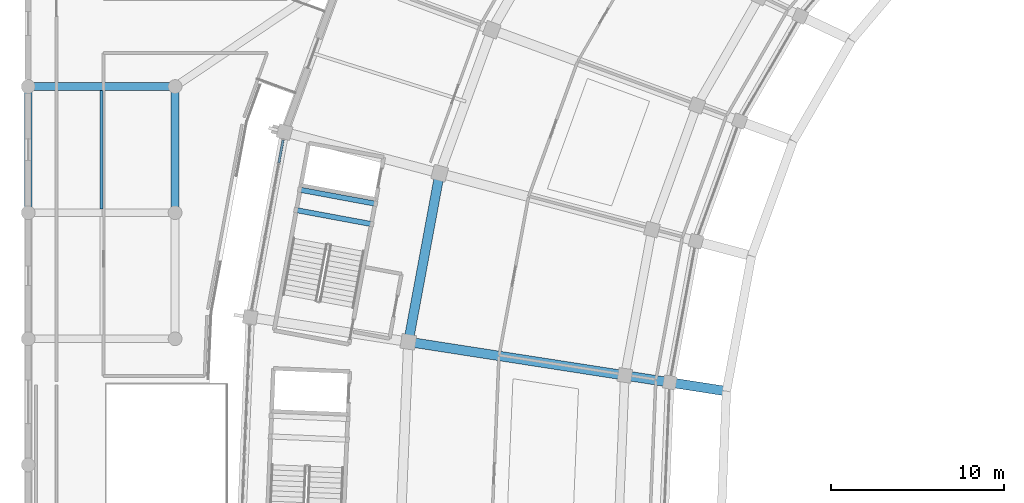
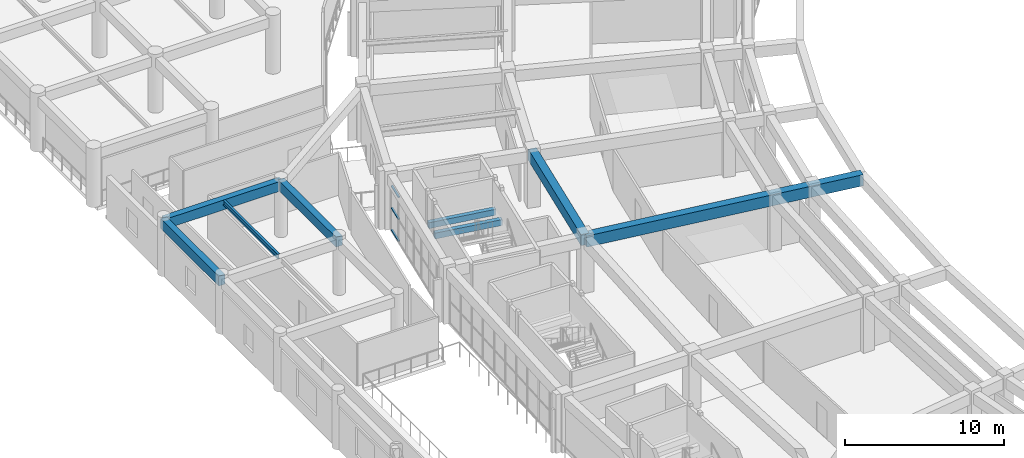
# One storey, part 30 of 145: 8 beams, 3 members, 1 element without a shape of its own.
"""IFC4 building model written with IfcOpenShell, lengths in metres."""

from ifc_helpers import new_model, si_unit, direction, frame, origin, origin_2d, place, context, subcontext, project, spatial, rectangle, i_section, extrude, material, layer, layer_set, material_profile, profile_set, type_object, element, aggregate, save


model = new_model("IFC4")

# Units and contexts
model_context = context("Model", 3, precision=1e-05, world=origin(), true_north=direction((0.0, 1.0)))
body_context = subcontext(model_context, "Body", "Model", "MODEL_VIEW")
ifc_project = project(units=[si_unit("LENGTHUNIT", "METRE"), si_unit("AREAUNIT", "SQUARE_METRE"), si_unit("VOLUMEUNIT", "CUBIC_METRE"), si_unit("PLANEANGLEUNIT", "RADIAN"), si_unit("MASSUNIT", "GRAM", prefix="KILO")], contexts=[model_context])

# Site, building, storey
site_placement = place(None, origin())
site = spatial("IfcSite", under=ifc_project, at=site_placement, CompositionType="ELEMENT")
building_placement = place(site_placement, origin())
building = spatial("IfcBuilding", under=site, at=building_placement, Name="Mphavela Belvedere Stadium", CompositionType="ELEMENT")
storey_placement = place(building_placement, frame((0.0, 0.0, 10.199951171875)))
storey = spatial("IfcBuildingStorey", under=building, at=storey_placement, Name="L02", CompositionType="ELEMENT", Elevation=10.199951171875)

# Beams
ifc_material_1 = material(Name="Steel S355", Category="steel")
ifc_material_profile_1 = material_profile(ifc_material_1, i_section(OverallWidth=0.169921875, OverallDepth=0.360107421875, WebThickness=0.008056640625, FlangeThickness=0.0126953125, at=origin_2d()), Name="IPE 360")
ifc_profile_set_1 = profile_set([ifc_material_profile_1], Name="Steel S355")
beam_type_1 = type_object("IfcBeamType", Name="BM-JOIST-IPE360", PredefinedType="JOIST", material=ifc_profile_set_1)
beam_1_placement = place(storey_placement, frame((4.25, 109.125, 4.06005859375), z_axis=(0.0, 1.0, 0.0), x_axis=(-1.0, 0.0, 0.0)))
element("IfcBeam", 1, at=beam_1_placement, inside=storey, type_object=beam_type_1, Name="West Planted Eaves Peristyle Colonnade secondary joist L02 1-9", PredefinedType="JOIST", context=body_context, shape_type="SweptSolid", body=[
    extrude(i_section(OverallWidth=0.169921875, OverallDepth=0.360107421875, WebThickness=0.008056640625, FlangeThickness=0.0126953125, at=origin_2d()), origin(), (0.0, 0.0, 1.0), 6.85009765625),
])
ifc_material_2 = material(Name="Concrete C40/50", Category="concrete")
ifc_material_profile_2 = material_profile(ifc_material_2, rectangle(XDim=0.300048828125, YDim=0.449951171875, at=origin_2d()), Name="RC 300x450")
ifc_profile_set_2 = profile_set([ifc_material_profile_2], Name="Concrete C40/50")
beam_type_2 = type_object("IfcBeamType", Name="BM-RC300x450", PredefinedType="BEAM", material=ifc_profile_set_2)
for number, where, z_axis, x_axis, name in (
    (2, (19.88623046875, 108.2353515625, 1.824951171875), (-0.9831891563, 0.182589931088, 0.0), (-0.182589931088, -0.9831891563, 0.0), "Core C06 landing trimmer beam L02-1"),
    (3, (20.105224609375, 109.415283203125, 1.824951171875), (-0.983198960132, 0.182537132646, 0.0), (-0.182537132646, -0.983198960132, 0.0), "Core C06 landing trimmer beam L02-2"),
):
    element("IfcBeam", number, at=place(storey_placement, frame(where, z_axis=z_axis, x_axis=x_axis)), inside=storey, type_object=beam_type_2, Name=name, PredefinedType="BEAM", context=body_context, shape_type="SweptSolid", body=[
        extrude(rectangle(XDim=0.300048828125, YDim=0.449951171875, at=origin_2d()), origin(), (0.0, 0.0, 1.0), 4.469970703125),
    ])
ifc_material_3 = material(Name="Concrete C40/50", Category="concrete")
ifc_material_profile_3 = material_profile(ifc_material_3, rectangle(XDim=0.449951171875, YDim=0.75, at=origin_2d()), Name="RC 450x750")
ifc_profile_set_3 = profile_set([ifc_material_profile_3], Name="Concrete C40/50")
beam_type_3 = type_object("IfcBeamType", Name="BM-RC450x750", PredefinedType="BEAM", material=ifc_profile_set_3)
beam_2_placement = place(storey_placement, frame((0.0, 108.89990234375, 3.864990234375), z_axis=(0.0, 1.0, 0.0), x_axis=(-1.0, 0.0, 0.0)))
element("IfcBeam", 4, at=beam_2_placement, inside=storey, type_object=beam_type_3, Name="West Planted Eaves Peristyle Colonnade entablature beam Y L02 1-9", PredefinedType="BEAM", context=body_context, shape_type="SweptSolid", body=[
    extrude(rectangle(XDim=0.449951171875, YDim=0.75, at=origin_2d()), origin(), (0.0, 0.0, 1.0), 7.300048828125),
])
beam_3_placement = place(storey_placement, frame((0.0, 116.199951171875, 3.864990234375), z_axis=(1.0, 0.0, 0.0), x_axis=(0.0, 1.0, 0.0)))
element("IfcBeam", 5, at=beam_3_placement, inside=storey, type_object=beam_type_3, Name="West Planted Eaves Peristyle Colonnade entablature beam X L02 1-10", PredefinedType="BEAM", context=body_context, shape_type="SweptSolid", body=[
    extrude(rectangle(XDim=0.449951171875, YDim=0.75, at=origin_2d()), origin(), (0.0, 0.0, 1.0), 8.5),
])
beam_4_placement = place(storey_placement, frame((8.5, 108.89990234375, 3.864990234375), z_axis=(0.0, 1.0, 0.0), x_axis=(-1.0, 0.0, 0.0)))
element("IfcBeam", 6, at=beam_4_placement, inside=storey, type_object=beam_type_3, Name="West Planted Eaves Peristyle Colonnade entablature beam Y L02 2-9", PredefinedType="BEAM", context=body_context, shape_type="SweptSolid", body=[
    extrude(rectangle(XDim=0.449951171875, YDim=0.75, at=origin_2d()), origin(), (0.0, 0.0, 1.0), 7.300048828125),
])
ifc_material_4 = material(Name="Concrete C40/50", Category="concrete")
ifc_material_profile_4 = material_profile(ifc_material_4, rectangle(XDim=0.550048828125, YDim=0.85009765625, at=origin_2d()), Name="RC 550x850")
ifc_profile_set_4 = profile_set([ifc_material_profile_4], Name="Concrete C40/50")
beam_type_4 = type_object("IfcBeamType", Name="BM-RC550x850", PredefinedType="BEAM", material=ifc_profile_set_4)
beam_5_placement = place(storey_placement, frame((23.8125, 111.181884765625, 3.824951171875), z_axis=(-0.182638056683, -0.983180217585, 0.0), x_axis=(0.983180217585, -0.182638056683, 0.0)))
element("IfcBeam", 7, at=beam_5_placement, inside=storey, type_object=beam_type_4, Name="Circumferential girder L02 R3-23", PredefinedType="BEAM", context=body_context, shape_type="SweptSolid", body=[
    extrude(rectangle(XDim=0.550048828125, YDim=0.85009765625, at=origin_2d()), origin(), (0.0, 0.0, 1.0), 9.924072265625),
])
beam_6_placement = place(storey_placement, frame((40.4072265625, 98.56982421875, 3.824951171875), z_axis=(-0.98818458407, 0.153268482759, 0.0), x_axis=(-0.153268482759, -0.98818458407, 0.0)))
element("IfcBeam", 8, at=beam_6_placement, inside=storey, type_object=beam_type_4, Name="Upper tier box-front outrigger girder 24", PredefinedType="BEAM", context=body_context, shape_type="SweptSolid", body=[
    extrude(rectangle(XDim=0.550048828125, YDim=0.85009765625, at=origin_2d()), origin(), (0.0, 0.0, 1.0), 18.627197265625),
])

# Curtain wall, members
ifc_material_5 = material(Name="Anodised bronze unitised curtain wall framing")
ifc_layer = layer(ifc_material_5, 0.18505859375)
ifc_layer_set = layer_set([ifc_layer], Name="Anodised bronze unitised curtain wall framing")
curtain_wall_type = type_object("IfcCurtainWallType", Name="CW-UNIT-02", PredefinedType="USERDEFINED", material=ifc_layer_set)
curtain_wall_placement = place(storey_placement, origin())
curtain_wall = element("IfcCurtainWall", 9, at=curtain_wall_placement, inside=storey, type_object=curtain_wall_type, Name="Belvedere colonnade curtain wall L02-23", ObjectType="UNITISED CURTAIN WALL", PredefinedType="USERDEFINED")
ifc_material_6 = material(Name="Anodised bronze extruded aluminium", Category="aluminium")
ifc_material_profile_5 = material_profile(ifc_material_6, rectangle(XDim=0.139892578125, YDim=0.06005859375, at=origin_2d()), Name="CW-TRN 140x60")
ifc_profile_set_5 = profile_set([ifc_material_profile_5], Name="Anodised bronze extruded aluminium")
member_type = type_object("IfcMemberType", Name="CWT-140x60", PredefinedType="USERDEFINED", material=ifc_profile_set_5)
member_1_placement = place(storey_placement, frame((14.750732421875, 113.107177734375, 0.030029296875), z_axis=(-0.1824919897, -0.983207340135, 0.0), x_axis=(0.983207340135, -0.1824919897, 0.0)))
member_1 = element("IfcMember", 10, at=member_1_placement, type_object=member_type, Name="CW-02 transom 1.1", ObjectType="TRANSOM", PredefinedType="USERDEFINED", context=body_context, shape_type="SweptSolid", body=[
    extrude(rectangle(XDim=0.139892578125, YDim=0.06005859375, at=origin_2d()), origin(), (0.0, 0.0, 1.0), 1.345947265625),
])
member_2_placement = place(storey_placement, frame((14.750732421875, 113.107177734375, 1.7099609375), z_axis=(-0.1824919897, -0.983207340135, 0.0), x_axis=(0.983207340135, -0.1824919897, 0.0)))
member_2 = element("IfcMember", 11, at=member_2_placement, type_object=member_type, Name="CW-02 transom 1.2", ObjectType="TRANSOM", PredefinedType="USERDEFINED", context=body_context, shape_type="SweptSolid", body=[
    extrude(rectangle(XDim=0.139892578125, YDim=0.06005859375, at=origin_2d()), origin(), (0.0, 0.0, 1.0), 1.345947265625),
])
member_3_placement = place(storey_placement, frame((14.750732421875, 113.107177734375, 3.39013671875), z_axis=(-0.1824919897, -0.983207340135, 0.0), x_axis=(0.983207340135, -0.1824919897, 0.0)))
member_3 = element("IfcMember", 12, at=member_3_placement, type_object=member_type, Name="CW-02 transom 1.3", ObjectType="TRANSOM", PredefinedType="USERDEFINED", context=body_context, shape_type="SweptSolid", body=[
    extrude(rectangle(XDim=0.139892578125, YDim=0.06005859375, at=origin_2d()), origin(), (0.0, 0.0, 1.0), 1.345947265625),
])
aggregate(curtain_wall, [member_1, member_2, member_3])

save(model, "model.ifc")
